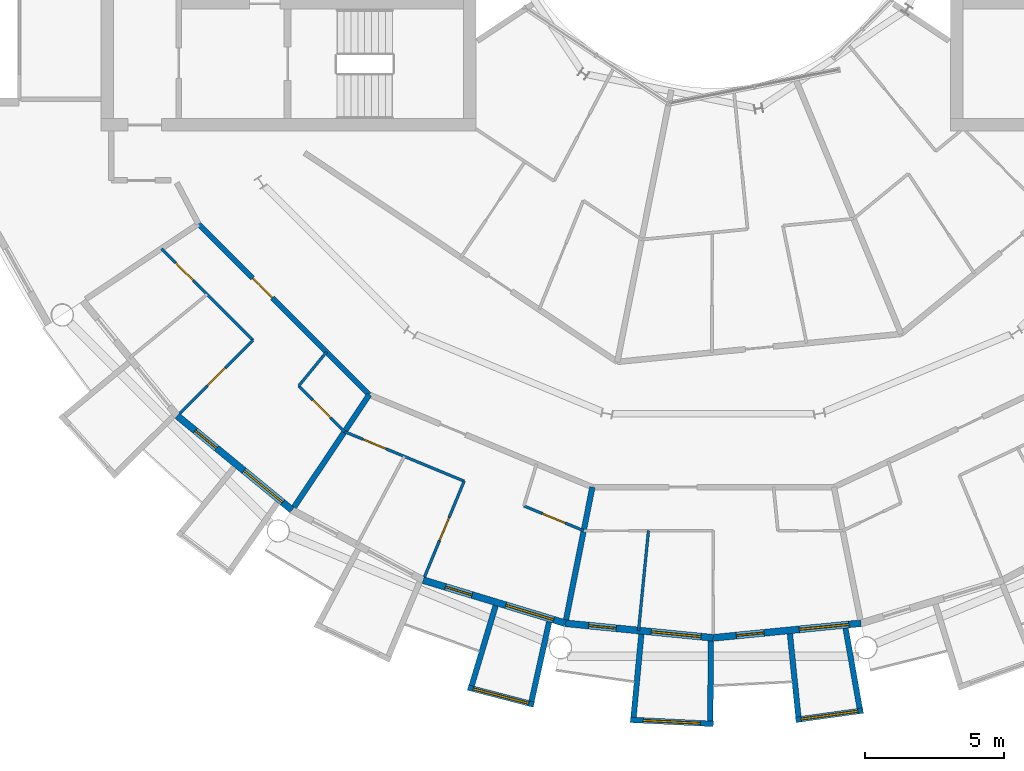
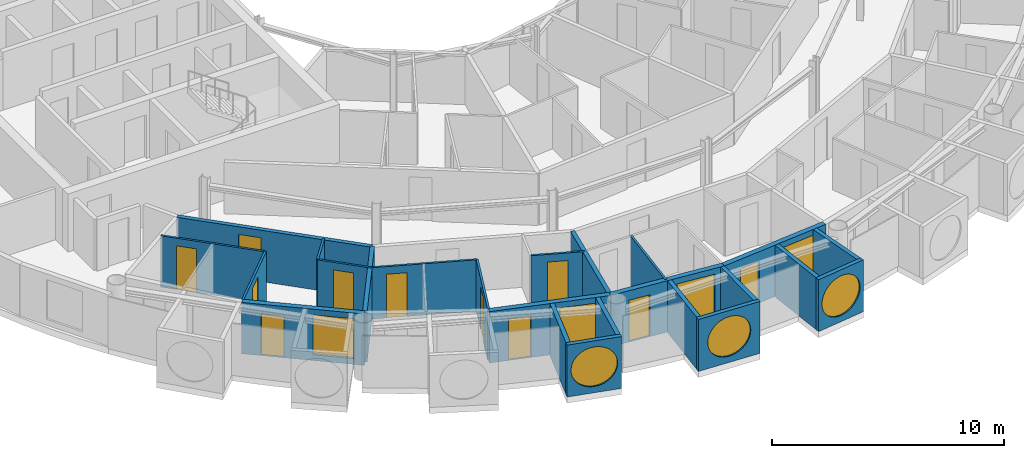
# One storey, part 15 of 29: 24 walls, 11 doors, 7 windows, 18 openings.
"""IFC4 building model written with IfcOpenShell, lengths in metres."""

from ifc_helpers import new_model, si_unit, direction, frame, frame_2d, origin, place, context, subcontext, project, spatial, rectangle, circle, extrude, material, layer, layer_set, type_object, element, fill, save


model = new_model("IFC4")

# Units and contexts
model_context = context("Model", 3, precision=1e-05, world=origin(), true_north=direction((0.0, 1.0)))
body_context = subcontext(model_context, "Body", "Model", "MODEL_VIEW")
ifc_project = project(units=[si_unit("LENGTHUNIT", "METRE"), si_unit("AREAUNIT", "SQUARE_METRE"), si_unit("VOLUMEUNIT", "CUBIC_METRE"), si_unit("PLANEANGLEUNIT", "RADIAN"), si_unit("MASSUNIT", "GRAM", prefix="KILO")], contexts=[model_context])

# Site, building, storey
site_placement = place(None, origin())
site = spatial("IfcSite", under=ifc_project, at=site_placement, CompositionType="ELEMENT")
building_placement = place(site_placement, origin())
building = spatial("IfcBuilding", under=site, at=building_placement, Name="Maasbend Ring Residences", CompositionType="ELEMENT")
storey_placement = place(building_placement, frame((0.0, 0.0, 212.699951171875)))
storey = spatial("IfcBuildingStorey", under=building, at=storey_placement, Name="L61", CompositionType="ELEMENT", Elevation=212.699951171875)

# Wall, opening, door
ifc_material_1 = material(Name="Concrete C30/37", Category="concrete")
ifc_layer_1 = layer(ifc_material_1, 0.199951171875)
ifc_layer_set_1 = layer_set([ifc_layer_1], Name="Concrete C30/37")
wall_type_1 = type_object("IfcWallType", Name="CORRIDOR WALL 200 CONCRETE", PredefinedType="PARTITIONING", material=ifc_layer_set_1)
wall_1_placement = place(storey_placement, frame((-18.5419921875, -12.388916015625, 0.0), z_axis=(0.0, 0.0, 1.0), x_axis=(0.707106781187, -0.707106781187, 0.0)))
wall_1 = element("IfcWall", 1, at=wall_1_placement, inside=storey, type_object=wall_type_1, Name="U-L61-w014", PredefinedType="PARTITIONING", context=body_context, shape_type="SweptSolid", body=[
    extrude(rectangle(XDim=8.70166015625, YDim=0.199951171875, at=frame_2d((4.350830078125, 0.0))), origin(), (0.0, 0.0, 1.0), 2.699951171875),
])
opening_1_placement = place(wall_1_placement, frame((2.762939453125, 0.0, 0.0)))
opening_1 = element("IfcOpeningElement", 2, at=opening_1_placement, cuts=wall_1, Name="Opening D-6135", PredefinedType="OPENING", context=body_context, shape_type="SweptSolid", body=[
    extrude(rectangle(XDim=1.0, YDim=2.300048828125, at=frame_2d((0.5, 1.14990234375))), frame((0.0, 0.10986328125, 0.0), z_axis=(0.0, -1.0, 0.0), x_axis=(1.0, 0.0, 0.0)), (0.0, 0.0, 1.0), 0.219970703125),
])
ifc_material_2 = material(Name="Timber, fire-rated, painted", Category="wood")
door_type_1 = type_object("IfcDoorType", Name="FLAT ENTRANCE DOOR 1000 X 2300 FIRE-RATED", OperationType="NOTDEFINED", PredefinedType="DOOR", material=ifc_material_2)
door_1_placement = place(opening_1_placement, origin())
door_1 = element("IfcDoor", 3, at=door_1_placement, inside=storey, type_object=door_type_1, Name="D-6135", OperationType="SINGLE_SWING_LEFT", OverallHeight=2.300048828125, OverallWidth=1.0, PredefinedType="DOOR", context=body_context, shape_type="SweptSolid", body=[
    extrude(rectangle(XDim=1.0, YDim=2.300048828125, at=frame_2d((0.5, 1.14990234375))), frame((0.0, 0.02490234375, 0.0), z_axis=(0.0, -1.0, 0.0), x_axis=(1.0, 0.0, 0.0)), (0.0, 0.0, 1.0), 0.050048828125),
])
fill(opening_1, door_1)

# Wall, opening, window
ifc_material_3 = material(Name="Pale anodised aluminium panel", Category="aluminium")
ifc_layer_2 = layer(ifc_material_3, 0.199951171875)
ifc_layer_set_2 = layer_set([ifc_layer_2], Name="EW-BOX")
wall_type_2 = type_object("IfcWallType", Name="EW-BOX", PredefinedType="SOLIDWALL", material=ifc_layer_set_2)
wall_2_placement = place(storey_placement, frame((-8.8291015625, -29.090087890625, -0.030029296875), z_axis=(0.0, 0.0, 1.0), x_axis=(0.96789536872, -0.251353446784, 0.0)))
wall_2 = element("IfcWall", 4, at=wall_2_placement, inside=storey, type_object=wall_type_2, Name="Box front S08", PredefinedType="SOLIDWALL", context=body_context, shape_type="SweptSolid", body=[
    extrude(rectangle(XDim=2.44677734375, YDim=0.199951171875, at=frame_2d((1.223388671875, 0.0))), origin(), (0.0, 0.0, 1.0), 2.72998046875),
])
opening_2_placement = place(wall_2_placement, frame((0.182861328125, 0.0, 0.330078125)))
opening_2 = element("IfcOpeningElement", 5, at=opening_2_placement, cuts=wall_2, Name="Opening W-RD", PredefinedType="OPENING", context=body_context, shape_type="SweptSolid", body=[
    extrude(circle(Radius=1.0400390625, at=frame_2d((1.0400390625, 1.0400390625))), frame((0.0, 0.10986328125, 0.0), z_axis=(0.0, -1.0, 0.0), x_axis=(1.0, 0.0, 0.0)), (0.0, 0.0, 1.0), 0.219970703125),
])
ifc_material_4 = material(Name="Aluminium and clear glass", Category="aluminium")
window_type_1 = type_object("IfcWindowType", Name="W-RD", PartitioningType="SINGLE_PANEL", PredefinedType="WINDOW", material=ifc_material_4)
window_1_placement = place(opening_2_placement, origin())
window_1 = element("IfcWindow", 6, at=window_1_placement, inside=storey, type_object=window_type_1, Name="Round window S08", OverallHeight=2.080078125, OverallWidth=2.080078125, PartitioningType="SINGLE_PANEL", PredefinedType="WINDOW", context=body_context, shape_type="SweptSolid", body=[
    extrude(circle(Radius=1.0400390625, at=frame_2d((1.0400390625, 1.0400390625))), frame((0.0, 0.030029296875, 0.0), z_axis=(0.0, -1.0, 0.0), x_axis=(1.0, 0.0, 0.0)), (0.0, 0.0, 1.0), 0.06005859375),
])
fill(opening_2, window_1)

# Walls
wall_3_placement = place(storey_placement, frame((-7.8369140625, -26.14404296875, -0.030029296875), z_axis=(0.0, 0.0, 1.0), x_axis=(-0.287064767992, -0.957911174889, 0.0)))
element("IfcWall", 7, at=wall_3_placement, inside=storey, type_object=wall_type_2, Name="Box side wall S08 left", PredefinedType="SOLIDWALL", context=body_context, shape_type="SweptSolid", body=[
    extrude(rectangle(XDim=3.00634765625, YDim=0.199951171875, at=frame_2d((1.503173828125, 0.0))), origin(), (0.0, 0.0, 1.0), 2.72998046875),
])
wall_4_placement = place(storey_placement, frame((-5.908935546875, -26.72900390625, -0.030029296875), z_axis=(0.0, 0.0, 1.0), x_axis=(-0.216409053917, -0.976302781612, 0.0)))
element("IfcWall", 8, at=wall_4_placement, inside=storey, type_object=wall_type_2, Name="Box side wall S08 right", PredefinedType="SOLIDWALL", context=body_context, shape_type="SweptSolid", body=[
    extrude(rectangle(XDim=2.92529296875, YDim=0.199951171875, at=frame_2d((1.462646484375, 0.0))), origin(), (0.0, 0.0, 1.0), 2.72998046875),
])

# Wall, opening, window
wall_5_placement = place(storey_placement, frame((-2.985107421875, -30.2529296875, -0.030029296875), z_axis=(0.0, 0.0, 1.0), x_axis=(0.998794083011, -0.049095618353, 0.0)))
wall_5 = element("IfcWall", 9, at=wall_5_placement, inside=storey, type_object=wall_type_2, Name="Box front S10", PredefinedType="SOLIDWALL", context=body_context, shape_type="SweptSolid", body=[
    extrude(rectangle(XDim=2.99365234375, YDim=0.199951171875, at=frame_2d((1.496826171875, 0.0))), origin(), (0.0, 0.0, 1.0), 2.72998046875),
])
opening_3_placement = place(wall_5_placement, frame((0.45654296875, 0.0, 0.330078125)))
opening_3 = element("IfcOpeningElement", 10, at=opening_3_placement, cuts=wall_5, Name="Opening W-RD", PredefinedType="OPENING", context=body_context, shape_type="SweptSolid", body=[
    extrude(circle(Radius=1.0400390625, at=frame_2d((1.0400390625, 1.0400390625))), frame((0.0, 0.10986328125, 0.0), z_axis=(0.0, -1.0, 0.0), x_axis=(1.0, 0.0, 0.0)), (0.0, 0.0, 1.0), 0.219970703125),
])
window_2_placement = place(opening_3_placement, origin())
window_2 = element("IfcWindow", 11, at=window_2_placement, inside=storey, type_object=window_type_1, Name="Round window S10", OverallHeight=2.080078125, OverallWidth=2.080078125, PartitioningType="SINGLE_PANEL", PredefinedType="WINDOW", context=body_context, shape_type="SweptSolid", body=[
    extrude(circle(Radius=1.0400390625, at=frame_2d((1.0400390625, 1.0400390625))), frame((0.0, 0.030029296875, 0.0), z_axis=(0.0, -1.0, 0.0), x_axis=(1.0, 0.0, 0.0)), (0.0, 0.0, 1.0), 0.06005859375),
])
fill(opening_3, window_2)

# Walls
wall_6_placement = place(storey_placement, frame((-2.5859375, -27.1708984375, -0.030029296875), z_axis=(0.0, 0.0, 1.0), x_axis=(-0.094548432284, -0.995520262954, 0.0)))
element("IfcWall", 12, at=wall_6_placement, inside=storey, type_object=wall_type_2, Name="Box side wall S10 left", PredefinedType="SOLIDWALL", context=body_context, shape_type="SweptSolid", body=[
    extrude(rectangle(XDim=3.005615234375, YDim=0.199951171875, at=frame_2d((1.5029296875, 0.0))), origin(), (0.0, 0.0, 1.0), 2.72998046875),
])
wall_7_placement = place(storey_placement, frame((-0.090087890625, -27.4169921875, -0.030029296875), z_axis=(0.0, 0.0, 1.0), x_axis=(-0.00347308367, -0.999993968827, 0.0)))
element("IfcWall", 13, at=wall_7_placement, inside=storey, type_object=wall_type_2, Name="Box side wall S10 right", PredefinedType="SOLIDWALL", context=body_context, shape_type="SweptSolid", body=[
    extrude(rectangle(XDim=2.882080078125, YDim=0.199951171875, at=frame_2d((1.44091796875, 0.0))), origin(), (0.0, 0.0, 1.0), 2.72998046875),
])

# Wall, opening, window
wall_8_placement = place(storey_placement, frame((2.97607421875, -30.25390625, -0.030029296875), z_axis=(0.0, 0.0, 1.0), x_axis=(0.990462016113, 0.137786046596, 0.0)))
wall_8 = element("IfcWall", 14, at=wall_8_placement, inside=storey, type_object=wall_type_2, Name="Box front S12", PredefinedType="SOLIDWALL", context=body_context, shape_type="SweptSolid", body=[
    extrude(rectangle(XDim=2.4453125, YDim=0.199951171875, at=frame_2d((1.22265625, 0.0))), origin(), (0.0, 0.0, 1.0), 2.72998046875),
])
opening_4_placement = place(wall_8_placement, frame((0.182861328125, 0.0, 0.330078125)))
opening_4 = element("IfcOpeningElement", 15, at=opening_4_placement, cuts=wall_8, Name="Opening W-RD", PredefinedType="OPENING", context=body_context, shape_type="SweptSolid", body=[
    extrude(circle(Radius=1.0400390625, at=frame_2d((1.0400390625, 1.0400390625))), frame((0.0, 0.10986328125, 0.0), z_axis=(0.0, -1.0, 0.0), x_axis=(1.0, 0.0, 0.0)), (0.0, 0.0, 1.0), 0.219970703125),
])
window_3_placement = place(opening_4_placement, origin())
window_3 = element("IfcWindow", 16, at=window_3_placement, inside=storey, type_object=window_type_1, Name="Round window S12", OverallHeight=2.080078125, OverallWidth=2.080078125, PartitioningType="SINGLE_PANEL", PredefinedType="WINDOW", context=body_context, shape_type="SweptSolid", body=[
    extrude(circle(Radius=1.0400390625, at=frame_2d((1.0400390625, 1.0400390625))), frame((0.0, 0.030029296875, 0.0), z_axis=(0.0, -1.0, 0.0), x_axis=(1.0, 0.0, 0.0)), (0.0, 0.0, 1.0), 0.06005859375),
])
fill(opening_4, window_3)

# Walls
wall_9_placement = place(storey_placement, frame((2.763916015625, -27.153076171875, -0.030029296875), z_axis=(0.0, 0.0, 1.0), x_axis=(0.101505487237, -0.994834979311, 0.0)))
element("IfcWall", 17, at=wall_9_placement, inside=storey, type_object=wall_type_2, Name="Box side wall S12 left", PredefinedType="SOLIDWALL", context=body_context, shape_type="SweptSolid", body=[
    extrude(rectangle(XDim=3.006591796875, YDim=0.199951171875, at=frame_2d((1.50341796875, 0.0))), origin(), (0.0, 0.0, 1.0), 2.72998046875),
])
wall_10_placement = place(storey_placement, frame((4.76904296875, -26.9560546875, -0.030029296875), z_axis=(0.0, 0.0, 1.0), x_axis=(0.174056778901, -0.984735618183, 0.0)))
element("IfcWall", 18, at=wall_10_placement, inside=storey, type_object=wall_type_2, Name="Box side wall S12 right", PredefinedType="SOLIDWALL", context=body_context, shape_type="SweptSolid", body=[
    extrude(rectangle(XDim=2.924560546875, YDim=0.199951171875, at=frame_2d((1.46240234375, 0.0))), origin(), (0.0, 0.0, 1.0), 2.72998046875),
])

# Wall, openings, door, window
ifc_material_5 = material(Name="Aluminium clad insulated panel", Category="aluminium")
ifc_layer_3 = layer(ifc_material_5, 0.25)
ifc_layer_set_3 = layer_set([ifc_layer_3], Name="EW-GL")
wall_type_3 = type_object("IfcWallType", Name="EW-GL", PredefinedType="SOLIDWALL", material=ifc_layer_set_3)
wall_11_placement = place(storey_placement, frame((-19.303955078125, -19.303955078125, 0.0), z_axis=(0.0, 0.0, 1.0), x_axis=(0.773019449054, -0.634382322723, 0.0)))
wall_11 = element("IfcWall", 19, at=wall_11_placement, inside=storey, type_object=wall_type_3, Name="External wall S02", PredefinedType="SOLIDWALL", context=body_context, shape_type="SweptSolid", body=[
    extrude(rectangle(XDim=5.351806640625, YDim=0.25, at=frame_2d((2.67578125, 0.0))), origin(), (0.0, 0.0, 1.0), 2.699951171875),
])
opening_5_placement = place(wall_11_placement, frame((0.841064453125, 0.0, 0.0)))
opening_5 = element("IfcOpeningElement", 20, at=opening_5_placement, cuts=wall_11, Name="Opening D-LG", PredefinedType="OPENING", context=body_context, shape_type="SweptSolid", body=[
    extrude(rectangle(XDim=1.0, YDim=2.199951171875, at=frame_2d((0.5, 1.10009765625))), frame((0.0, 0.135009765625, 0.0), z_axis=(0.0, -1.0, 0.0), x_axis=(1.0, 0.0, 0.0)), (0.0, 0.0, 1.0), 0.27001953125),
])
opening_6_placement = place(wall_11_placement, frame((3.110595703125, 0.0, 0.300048828125)))
opening_6 = element("IfcOpeningElement", 21, at=opening_6_placement, cuts=wall_11, Name="Opening W-BX", PredefinedType="OPENING", context=body_context, shape_type="SweptSolid", body=[
    extrude(rectangle(XDim=1.800048828125, YDim=2.10009765625, at=frame_2d((0.89990234375, 1.050048828125))), frame((0.0, 0.135009765625, 0.0), z_axis=(0.0, -1.0, 0.0), x_axis=(1.0, 0.0, 0.0)), (0.0, 0.0, 1.0), 0.27001953125),
])
ifc_material_6 = material(Name="Aluminium and clear glass", Category="aluminium")
door_type_2 = type_object("IfcDoorType", Name="D-LG", OperationType="SINGLE_SWING_LEFT", PredefinedType="DOOR", material=ifc_material_6)
door_2_placement = place(opening_5_placement, origin())
door_2 = element("IfcDoor", 22, at=door_2_placement, inside=storey, type_object=door_type_2, Name="Loggia door S03", OperationType="SINGLE_SWING_LEFT", OverallHeight=2.199951171875, OverallWidth=1.0, PredefinedType="DOOR", context=body_context, shape_type="SweptSolid", body=[
    extrude(rectangle(XDim=1.0, YDim=2.199951171875, at=frame_2d((0.5, 1.10009765625))), frame((0.0, 0.02490234375, 0.0), z_axis=(0.0, -1.0, 0.0), x_axis=(1.0, 0.0, 0.0)), (0.0, 0.0, 1.0), 0.050048828125),
])
fill(opening_5, door_2)
ifc_material_7 = material(Name="Aluminium and clear glass", Category="aluminium")
window_type_2 = type_object("IfcWindowType", Name="W-BX", PartitioningType="DOUBLE_PANEL_VERTICAL", PredefinedType="WINDOW", material=ifc_material_7)
window_4_placement = place(opening_6_placement, origin())
window_4 = element("IfcWindow", 23, at=window_4_placement, inside=storey, type_object=window_type_2, Name="Window S04 room to box", OverallHeight=2.10009765625, OverallWidth=1.800048828125, PartitioningType="SINGLE_PANEL", PredefinedType="WINDOW", context=body_context, shape_type="SweptSolid", body=[
    extrude(rectangle(XDim=1.800048828125, YDim=2.10009765625, at=frame_2d((0.89990234375, 1.050048828125))), frame((0.0, 0.030029296875, 0.0), z_axis=(0.0, -1.0, 0.0), x_axis=(1.0, 0.0, 0.0)), (0.0, 0.0, 1.0), 0.06005859375),
])
fill(opening_6, window_4)

wall_12_placement = place(storey_placement, frame((-10.447021484375, -25.221923828125, 0.0), z_axis=(0.0, 0.0, 1.0), x_axis=(0.956965678721, -0.290201119486, 0.0)))
wall_12 = element("IfcWall", 24, at=wall_12_placement, inside=storey, type_object=wall_type_3, Name="External wall S04", PredefinedType="SOLIDWALL", context=body_context, shape_type="SweptSolid", body=[
    extrude(rectangle(XDim=5.351318359375, YDim=0.25, at=frame_2d((2.67578125, 0.0))), origin(), (0.0, 0.0, 1.0), 2.699951171875),
])
opening_7_placement = place(wall_12_placement, frame((0.841064453125, 0.0, 0.0)))
opening_7 = element("IfcOpeningElement", 25, at=opening_7_placement, cuts=wall_12, Name="Opening D-LG", PredefinedType="OPENING", context=body_context, shape_type="SweptSolid", body=[
    extrude(rectangle(XDim=1.0, YDim=2.199951171875, at=frame_2d((0.5, 1.10009765625))), frame((0.0, 0.135009765625, 0.0), z_axis=(0.0, -1.0, 0.0), x_axis=(1.0, 0.0, 0.0)), (0.0, 0.0, 1.0), 0.27001953125),
])
opening_8_placement = place(wall_12_placement, frame((3.110595703125, 0.0, 0.300048828125)))
opening_8 = element("IfcOpeningElement", 26, at=opening_8_placement, cuts=wall_12, Name="Opening W-BX", PredefinedType="OPENING", context=body_context, shape_type="SweptSolid", body=[
    extrude(rectangle(XDim=1.800048828125, YDim=2.10009765625, at=frame_2d((0.89990234375, 1.050048828125))), frame((0.0, 0.135009765625, 0.0), z_axis=(0.0, -1.0, 0.0), x_axis=(1.0, 0.0, 0.0)), (0.0, 0.0, 1.0), 0.27001953125),
])
door_3_placement = place(opening_7_placement, origin())
door_3 = element("IfcDoor", 27, at=door_3_placement, inside=storey, type_object=door_type_2, Name="Loggia door S07", OperationType="SINGLE_SWING_LEFT", OverallHeight=2.199951171875, OverallWidth=1.0, PredefinedType="DOOR", context=body_context, shape_type="SweptSolid", body=[
    extrude(rectangle(XDim=1.0, YDim=2.199951171875, at=frame_2d((0.5, 1.10009765625))), frame((0.0, 0.02490234375, 0.0), z_axis=(0.0, -1.0, 0.0), x_axis=(1.0, 0.0, 0.0)), (0.0, 0.0, 1.0), 0.050048828125),
])
fill(opening_7, door_3)
window_5_placement = place(opening_8_placement, origin())
window_5 = element("IfcWindow", 28, at=window_5_placement, inside=storey, type_object=window_type_2, Name="Window S08 room to box", OverallHeight=2.10009765625, OverallWidth=1.800048828125, PartitioningType="SINGLE_PANEL", PredefinedType="WINDOW", context=body_context, shape_type="SweptSolid", body=[
    extrude(rectangle(XDim=1.800048828125, YDim=2.10009765625, at=frame_2d((0.89990234375, 1.050048828125))), frame((0.0, 0.030029296875, 0.0), z_axis=(0.0, -1.0, 0.0), x_axis=(1.0, 0.0, 0.0)), (0.0, 0.0, 1.0), 0.06005859375),
])
fill(opening_8, window_5)

wall_13_placement = place(storey_placement, frame((-5.325927734375, -26.77490234375, 0.0), z_axis=(0.0, 0.0, 1.0), x_axis=(0.995173996315, -0.098126026407, 0.0)))
wall_13 = element("IfcWall", 29, at=wall_13_placement, inside=storey, type_object=wall_type_3, Name="External wall S05", PredefinedType="SOLIDWALL", context=body_context, shape_type="SweptSolid", body=[
    extrude(rectangle(XDim=5.351806640625, YDim=0.25, at=frame_2d((2.67578125, 0.0))), origin(), (0.0, 0.0, 1.0), 2.699951171875),
])
opening_9_placement = place(wall_13_placement, frame((0.841064453125, 0.0, 0.0)))
opening_9 = element("IfcOpeningElement", 30, at=opening_9_placement, cuts=wall_13, Name="Opening D-LG", PredefinedType="OPENING", context=body_context, shape_type="SweptSolid", body=[
    extrude(rectangle(XDim=1.0, YDim=2.199951171875, at=frame_2d((0.5, 1.10009765625))), frame((0.0, 0.135009765625, 0.0), z_axis=(0.0, -1.0, 0.0), x_axis=(1.0, 0.0, 0.0)), (0.0, 0.0, 1.0), 0.27001953125),
])
opening_10_placement = place(wall_13_placement, frame((3.110595703125, 0.0, 0.300048828125)))
opening_10 = element("IfcOpeningElement", 31, at=opening_10_placement, cuts=wall_13, Name="Opening W-BX", PredefinedType="OPENING", context=body_context, shape_type="SweptSolid", body=[
    extrude(rectangle(XDim=1.800048828125, YDim=2.10009765625, at=frame_2d((0.89990234375, 1.050048828125))), frame((0.0, 0.135009765625, 0.0), z_axis=(0.0, -1.0, 0.0), x_axis=(1.0, 0.0, 0.0)), (0.0, 0.0, 1.0), 0.27001953125),
])
door_4_placement = place(opening_9_placement, origin())
door_4 = element("IfcDoor", 32, at=door_4_placement, inside=storey, type_object=door_type_2, Name="Loggia door S09", OperationType="SINGLE_SWING_LEFT", OverallHeight=2.199951171875, OverallWidth=1.0, PredefinedType="DOOR", context=body_context, shape_type="SweptSolid", body=[
    extrude(rectangle(XDim=1.0, YDim=2.199951171875, at=frame_2d((0.5, 1.10009765625))), frame((0.0, 0.02490234375, 0.0), z_axis=(0.0, -1.0, 0.0), x_axis=(1.0, 0.0, 0.0)), (0.0, 0.0, 1.0), 0.050048828125),
])
fill(opening_9, door_4)
window_6_placement = place(opening_10_placement, origin())
window_6 = element("IfcWindow", 33, at=window_6_placement, inside=storey, type_object=window_type_2, Name="Window S10 room to box", OverallHeight=2.10009765625, OverallWidth=1.800048828125, PartitioningType="SINGLE_PANEL", PredefinedType="WINDOW", context=body_context, shape_type="SweptSolid", body=[
    extrude(rectangle(XDim=1.800048828125, YDim=2.10009765625, at=frame_2d((0.89990234375, 1.050048828125))), frame((0.0, 0.030029296875, 0.0), z_axis=(0.0, -1.0, 0.0), x_axis=(1.0, 0.0, 0.0)), (0.0, 0.0, 1.0), 0.06005859375),
])
fill(opening_10, window_6)

wall_14_placement = place(storey_placement, frame((0.0, -27.300048828125, 0.0), z_axis=(0.0, 0.0, 1.0), x_axis=(0.995173996315, 0.098126026407, 0.0)))
wall_14 = element("IfcWall", 34, at=wall_14_placement, inside=storey, type_object=wall_type_3, Name="External wall S06", PredefinedType="SOLIDWALL", context=body_context, shape_type="SweptSolid", body=[
    extrude(rectangle(XDim=5.351806640625, YDim=0.25, at=frame_2d((2.67578125, 0.0))), origin(), (0.0, 0.0, 1.0), 2.699951171875),
])
opening_11_placement = place(wall_14_placement, frame((0.841064453125, 0.0, 0.0)))
opening_11 = element("IfcOpeningElement", 35, at=opening_11_placement, cuts=wall_14, Name="Opening D-LG", PredefinedType="OPENING", context=body_context, shape_type="SweptSolid", body=[
    extrude(rectangle(XDim=1.0, YDim=2.199951171875, at=frame_2d((0.5, 1.10009765625))), frame((0.0, 0.135009765625, 0.0), z_axis=(0.0, -1.0, 0.0), x_axis=(1.0, 0.0, 0.0)), (0.0, 0.0, 1.0), 0.27001953125),
])
opening_12_placement = place(wall_14_placement, frame((3.110595703125, 0.0, 0.300048828125)))
opening_12 = element("IfcOpeningElement", 36, at=opening_12_placement, cuts=wall_14, Name="Opening W-BX", PredefinedType="OPENING", context=body_context, shape_type="SweptSolid", body=[
    extrude(rectangle(XDim=1.800048828125, YDim=2.10009765625, at=frame_2d((0.89990234375, 1.050048828125))), frame((0.0, 0.135009765625, 0.0), z_axis=(0.0, -1.0, 0.0), x_axis=(1.0, 0.0, 0.0)), (0.0, 0.0, 1.0), 0.27001953125),
])
door_5_placement = place(opening_11_placement, origin())
door_5 = element("IfcDoor", 37, at=door_5_placement, inside=storey, type_object=door_type_2, Name="Loggia door S11", OperationType="SINGLE_SWING_LEFT", OverallHeight=2.199951171875, OverallWidth=1.0, PredefinedType="DOOR", context=body_context, shape_type="SweptSolid", body=[
    extrude(rectangle(XDim=1.0, YDim=2.199951171875, at=frame_2d((0.5, 1.10009765625))), frame((0.0, 0.02490234375, 0.0), z_axis=(0.0, -1.0, 0.0), x_axis=(1.0, 0.0, 0.0)), (0.0, 0.0, 1.0), 0.050048828125),
])
fill(opening_11, door_5)
window_7_placement = place(opening_12_placement, origin())
window_7 = element("IfcWindow", 38, at=window_7_placement, inside=storey, type_object=window_type_2, Name="Window S12 room to box", OverallHeight=2.10009765625, OverallWidth=1.800048828125, PartitioningType="SINGLE_PANEL", PredefinedType="WINDOW", context=body_context, shape_type="SweptSolid", body=[
    extrude(rectangle(XDim=1.800048828125, YDim=2.10009765625, at=frame_2d((0.89990234375, 1.050048828125))), frame((0.0, 0.030029296875, 0.0), z_axis=(0.0, -1.0, 0.0), x_axis=(1.0, 0.0, 0.0)), (0.0, 0.0, 1.0), 0.06005859375),
])
fill(opening_12, window_7)

# Wall, opening, door
ifc_material_8 = material(Name="Gypsum board on steel studs", Category="steel")
ifc_layer_4 = layer(ifc_material_8, 0.10009765625)
ifc_layer_set_4 = layer_set([ifc_layer_4], Name="PARTITION 100 GYPSUM")
wall_type_4 = type_object("IfcWallType", Name="PARTITION 100 GYPSUM", PredefinedType="PARTITIONING", material=ifc_layer_set_4)
wall_15_placement = place(storey_placement, frame((-19.868896484375, -13.284912109375, 0.0), z_axis=(0.0, 0.0, 1.0), x_axis=(0.707290020325, -0.706923494552, 0.0)))
wall_15 = element("IfcWall", 39, at=wall_15_placement, inside=storey, type_object=wall_type_4, Name="U-L61-w003", PredefinedType="PARTITIONING", context=body_context, shape_type="SweptSolid", body=[
    extrude(rectangle(XDim=4.66259765625, YDim=0.10009765625, at=frame_2d((2.331298828125, 0.0))), origin(), (0.0, 0.0, 1.0), 2.699951171875),
])
opening_13_placement = place(wall_15_placement, frame((0.7119140625, 0.0, 0.0)))
opening_13 = element("IfcOpeningElement", 40, at=opening_13_placement, cuts=wall_15, Name="Opening D-6138", PredefinedType="OPENING", context=body_context, shape_type="SweptSolid", body=[
    extrude(rectangle(XDim=0.89990234375, YDim=2.300048828125, at=frame_2d((0.449951171875, 1.14990234375))), frame((0.0, 0.06005859375, 0.0), z_axis=(0.0, -1.0, 0.0), x_axis=(1.0, 0.0, 0.0)), (0.0, 0.0, 1.0), 0.1201171875),
])
ifc_material_9 = material(Name="Timber, painted", Category="wood")
door_type_3 = type_object("IfcDoorType", Name="INTERNAL DOOR 900 X 2300", OperationType="NOTDEFINED", PredefinedType="DOOR", material=ifc_material_9)
door_6_placement = place(opening_13_placement, origin())
door_6 = element("IfcDoor", 41, at=door_6_placement, inside=storey, type_object=door_type_3, Name="D-6138", OperationType="SINGLE_SWING_LEFT", OverallHeight=2.300048828125, OverallWidth=0.89990234375, PredefinedType="DOOR", context=body_context, shape_type="SweptSolid", body=[
    extrude(rectangle(XDim=0.89990234375, YDim=2.300048828125, at=frame_2d((0.449951171875, 1.14990234375))), frame((0.0, 0.02490234375, 0.0), z_axis=(0.0, -1.0, 0.0), x_axis=(1.0, 0.0, 0.0)), (0.0, 0.0, 1.0), 0.050048828125),
])
fill(opening_13, door_6)

wall_16_placement = place(storey_placement, frame((-14.927001953125, -18.22412109375, 0.0), z_axis=(0.0, 0.0, 1.0), x_axis=(0.707316201218, -0.706897299114, 0.0)))
wall_16 = element("IfcWall", 42, at=wall_16_placement, inside=storey, type_object=wall_type_4, Name="U-L61-w004", PredefinedType="PARTITIONING", context=body_context, shape_type="SweptSolid", body=[
    extrude(rectangle(XDim=2.331298828125, YDim=0.10009765625, at=frame_2d((1.16552734375, 0.0))), origin(), (0.0, 0.0, 1.0), 2.699951171875),
])
opening_14_placement = place(wall_16_placement, frame((0.716064453125, 0.0, 0.0)))
opening_14 = element("IfcOpeningElement", 43, at=opening_14_placement, cuts=wall_16, Name="Opening D-6136", PredefinedType="OPENING", context=body_context, shape_type="SweptSolid", body=[
    extrude(rectangle(XDim=0.89990234375, YDim=2.300048828125, at=frame_2d((0.449951171875, 1.14990234375))), frame((0.0, 0.06005859375, 0.0), z_axis=(0.0, -1.0, 0.0), x_axis=(1.0, 0.0, 0.0)), (0.0, 0.0, 1.0), 0.1201171875),
])
door_7_placement = place(opening_14_placement, origin())
door_7 = element("IfcDoor", 44, at=door_7_placement, inside=storey, type_object=door_type_3, Name="D-6136", OperationType="SINGLE_SWING_LEFT", OverallHeight=2.300048828125, OverallWidth=0.89990234375, PredefinedType="DOOR", context=body_context, shape_type="SweptSolid", body=[
    extrude(rectangle(XDim=0.89990234375, YDim=2.300048828125, at=frame_2d((0.449951171875, 1.14990234375))), frame((0.0, 0.02490234375, 0.0), z_axis=(0.0, -1.0, 0.0), x_axis=(1.0, 0.0, 0.0)), (0.0, 0.0, 1.0), 0.050048828125),
])
fill(opening_14, door_7)

wall_17_placement = place(storey_placement, frame((-13.278076171875, -19.873046875, 0.0), z_axis=(0.0, 0.0, 1.0), x_axis=(0.923920484476, -0.38258455061, 0.0)))
wall_17 = element("IfcWall", 45, at=wall_17_placement, inside=storey, type_object=wall_type_4, Name="U-L61-w005", PredefinedType="PARTITIONING", context=body_context, shape_type="SweptSolid", body=[
    extrude(rectangle(XDim=4.662841796875, YDim=0.10009765625, at=frame_2d((2.33154296875, 0.0))), origin(), (0.0, 0.0, 1.0), 2.699951171875),
])
opening_15_placement = place(wall_17_placement, frame((0.715087890625, 0.0, 0.0)))
opening_15 = element("IfcOpeningElement", 46, at=opening_15_placement, cuts=wall_17, Name="Opening D-6142", PredefinedType="OPENING", context=body_context, shape_type="SweptSolid", body=[
    extrude(rectangle(XDim=0.89990234375, YDim=2.300048828125, at=frame_2d((0.449951171875, 1.14990234375))), frame((0.0, 0.06005859375, 0.0), z_axis=(0.0, -1.0, 0.0), x_axis=(1.0, 0.0, 0.0)), (0.0, 0.0, 1.0), 0.1201171875),
])
door_8_placement = place(opening_15_placement, origin())
door_8 = element("IfcDoor", 47, at=door_8_placement, inside=storey, type_object=door_type_3, Name="D-6142", OperationType="SINGLE_SWING_LEFT", OverallHeight=2.300048828125, OverallWidth=0.89990234375, PredefinedType="DOOR", context=body_context, shape_type="SweptSolid", body=[
    extrude(rectangle(XDim=0.89990234375, YDim=2.300048828125, at=frame_2d((0.449951171875, 1.14990234375))), frame((0.0, 0.02490234375, 0.0), z_axis=(0.0, -1.0, 0.0), x_axis=(1.0, 0.0, 0.0)), (0.0, 0.0, 1.0), 0.050048828125),
])
fill(opening_15, door_8)

wall_18_placement = place(storey_placement, frame((-6.81689453125, -22.549072265625, 0.0), z_axis=(0.0, 0.0, 1.0), x_axis=(0.923923664861, -0.382576870068, 0.0)))
wall_18 = element("IfcWall", 48, at=wall_18_placement, inside=storey, type_object=wall_type_4, Name="U-L61-w006", PredefinedType="PARTITIONING", context=body_context, shape_type="SweptSolid", body=[
    extrude(rectangle(XDim=2.3310546875, YDim=0.10009765625, at=frame_2d((1.16552734375, 0.0))), origin(), (0.0, 0.0, 1.0), 2.699951171875),
])
opening_16_placement = place(wall_18_placement, frame((0.716064453125, 0.0, 0.0)))
opening_16 = element("IfcOpeningElement", 49, at=opening_16_placement, cuts=wall_18, Name="Opening D-6140", PredefinedType="OPENING", context=body_context, shape_type="SweptSolid", body=[
    extrude(rectangle(XDim=0.89990234375, YDim=2.300048828125, at=frame_2d((0.449951171875, 1.14990234375))), frame((0.0, 0.06005859375, 0.0), z_axis=(0.0, -1.0, 0.0), x_axis=(1.0, 0.0, 0.0)), (0.0, 0.0, 1.0), 0.1201171875),
])
door_9_placement = place(opening_16_placement, origin())
door_9 = element("IfcDoor", 50, at=door_9_placement, inside=storey, type_object=door_type_3, Name="D-6140", OperationType="SINGLE_SWING_LEFT", OverallHeight=2.300048828125, OverallWidth=0.89990234375, PredefinedType="DOOR", context=body_context, shape_type="SweptSolid", body=[
    extrude(rectangle(XDim=0.89990234375, YDim=2.300048828125, at=frame_2d((0.449951171875, 1.14990234375))), frame((0.0, 0.02490234375, 0.0), z_axis=(0.0, -1.0, 0.0), x_axis=(1.0, 0.0, 0.0)), (0.0, 0.0, 1.0), 0.050048828125),
])
fill(opening_16, door_9)

# Wall
wall_19_placement = place(storey_placement, frame((-14.927001953125, -18.22412109375, 0.0), z_axis=(0.0, 0.0, 1.0), x_axis=(0.633861186344, 0.773446828454, 0.0)))
element("IfcWall", 51, at=wall_19_placement, inside=storey, type_object=wall_type_4, Name="U-L61-w033", PredefinedType="PARTITIONING", context=body_context, shape_type="SweptSolid", body=[
    extrude(rectangle(XDim=1.57763671875, YDim=0.10009765625, at=frame_2d((0.788818359375, 0.0))), origin(), (0.0, 0.0, 1.0), 2.699951171875),
])

# Wall, opening, door
wall_20_placement = place(storey_placement, frame((-19.216064453125, -19.216064453125, 0.0), z_axis=(0.0, 0.0, 1.0), x_axis=(0.707106781187, 0.707106781187, 0.0)))
wall_20 = element("IfcWall", 52, at=wall_20_placement, inside=storey, type_object=wall_type_4, Name="U-L61-w043", PredefinedType="PARTITIONING", context=body_context, shape_type="SweptSolid", body=[
    extrude(rectangle(XDim=3.735107421875, YDim=0.10009765625, at=frame_2d((1.86767578125, 0.0))), origin(), (0.0, 0.0, 1.0), 2.699951171875),
])
opening_17_placement = place(wall_20_placement, frame((1.4169921875, 0.0, 0.0)))
opening_17 = element("IfcOpeningElement", 53, at=opening_17_placement, cuts=wall_20, Name="Opening D-6137", PredefinedType="OPENING", context=body_context, shape_type="SweptSolid", body=[
    extrude(rectangle(XDim=0.89990234375, YDim=2.300048828125, at=frame_2d((0.449951171875, 1.14990234375))), frame((0.0, 0.06005859375, 0.0), z_axis=(0.0, -1.0, 0.0), x_axis=(1.0, 0.0, 0.0)), (0.0, 0.0, 1.0), 0.1201171875),
])
door_10_placement = place(opening_17_placement, origin())
door_10 = element("IfcDoor", 54, at=door_10_placement, inside=storey, type_object=door_type_3, Name="D-6137", OperationType="SINGLE_SWING_LEFT", OverallHeight=2.300048828125, OverallWidth=0.89990234375, PredefinedType="DOOR", context=body_context, shape_type="SweptSolid", body=[
    extrude(rectangle(XDim=0.89990234375, YDim=2.300048828125, at=frame_2d((0.449951171875, 1.14990234375))), frame((0.0, 0.02490234375, 0.0), z_axis=(0.0, -1.0, 0.0), x_axis=(1.0, 0.0, 0.0)), (0.0, 0.0, 1.0), 0.050048828125),
])
fill(opening_17, door_10)

wall_21_placement = place(storey_placement, frame((-10.39892578125, -25.10595703125, 0.0), z_axis=(0.0, 0.0, 1.0), x_axis=(0.382669377748, 0.923885353999, 0.0)))
wall_21 = element("IfcWall", 55, at=wall_21_placement, inside=storey, type_object=wall_type_4, Name="U-L61-w050", PredefinedType="PARTITIONING", context=body_context, shape_type="SweptSolid", body=[
    extrude(rectangle(XDim=3.734130859375, YDim=0.10009765625, at=frame_2d((1.8671875, 0.0))), origin(), (0.0, 0.0, 1.0), 2.699951171875),
])
opening_18_placement = place(wall_21_placement, frame((1.4169921875, 0.0, 0.0)))
opening_18 = element("IfcOpeningElement", 56, at=opening_18_placement, cuts=wall_21, Name="Opening D-6141", PredefinedType="OPENING", context=body_context, shape_type="SweptSolid", body=[
    extrude(rectangle(XDim=0.89990234375, YDim=2.300048828125, at=frame_2d((0.449951171875, 1.14990234375))), frame((0.0, 0.06005859375, 0.0), z_axis=(0.0, -1.0, 0.0), x_axis=(1.0, 0.0, 0.0)), (0.0, 0.0, 1.0), 0.1201171875),
])
door_11_placement = place(opening_18_placement, origin())
door_11 = element("IfcDoor", 57, at=door_11_placement, inside=storey, type_object=door_type_3, Name="D-6141", OperationType="SINGLE_SWING_RIGHT", OverallHeight=2.300048828125, OverallWidth=0.89990234375, PredefinedType="DOOR", context=body_context, shape_type="SweptSolid", body=[
    extrude(rectangle(XDim=0.89990234375, YDim=2.300048828125, at=frame_2d((0.449951171875, 1.14990234375))), frame((0.0, 0.02490234375, 0.0), z_axis=(0.0, -1.0, 0.0), x_axis=(1.0, 0.0, 0.0)), (0.0, 0.0, 1.0), 0.050048828125),
])
fill(opening_18, door_11)

# Walls
wall_22_placement = place(storey_placement, frame((-2.68896484375, -27.0419921875, 0.0), z_axis=(0.0, 0.0, 1.0), x_axis=(0.098902534616, 0.995097125233, 0.0)))
element("IfcWall", 58, at=wall_22_placement, inside=storey, type_object=wall_type_4, Name="U-L61-w061", PredefinedType="PARTITIONING", context=body_context, shape_type="SweptSolid", body=[
    extrude(rectangle(XDim=3.618896484375, YDim=0.10009765625, at=frame_2d((1.8095703125, 0.0))), origin(), (0.0, 0.0, 1.0), 2.699951171875),
])
ifc_material_10 = material(Name="Concrete C30/37", Category="concrete")
ifc_layer_5 = layer(ifc_material_10, 0.199951171875)
ifc_layer_set_5 = layer_set([ifc_layer_5], Name="Concrete C30/37")
wall_type_5 = type_object("IfcWallType", Name="PARTY WALL 200 CONCRETE", PredefinedType="PARTITIONING", material=ifc_layer_set_5)
wall_23_placement = place(storey_placement, frame((-15.096923828125, -22.595947265625, 0.0), z_axis=(0.0, 0.0, 1.0), x_axis=(0.555462686211, 0.831541462723, 0.0)))
element("IfcWall", 59, at=wall_23_placement, inside=storey, type_object=wall_type_5, Name="U-L61-w045", PredefinedType="PARTITIONING", context=body_context, shape_type="SweptSolid", body=[
    extrude(rectangle(XDim=4.875244140625, YDim=0.199951171875, at=frame_2d((2.4375, 0.0))), origin(), (0.0, 0.0, 1.0), 2.699951171875),
])
wall_24_placement = place(storey_placement, frame((-5.302001953125, -26.653076171875, 0.0), z_axis=(0.0, 0.0, 1.0), x_axis=(0.195075825861, 0.980788163756, 0.0)))
element("IfcWall", 60, at=wall_24_placement, inside=storey, type_object=wall_type_5, Name="U-L61-w058", PredefinedType="PARTITIONING", context=body_context, shape_type="SweptSolid", body=[
    extrude(rectangle(XDim=4.874755859375, YDim=0.199951171875, at=frame_2d((2.4375, 0.0))), origin(), (0.0, 0.0, 1.0), 2.699951171875),
])

save(model, "model.ifc")
